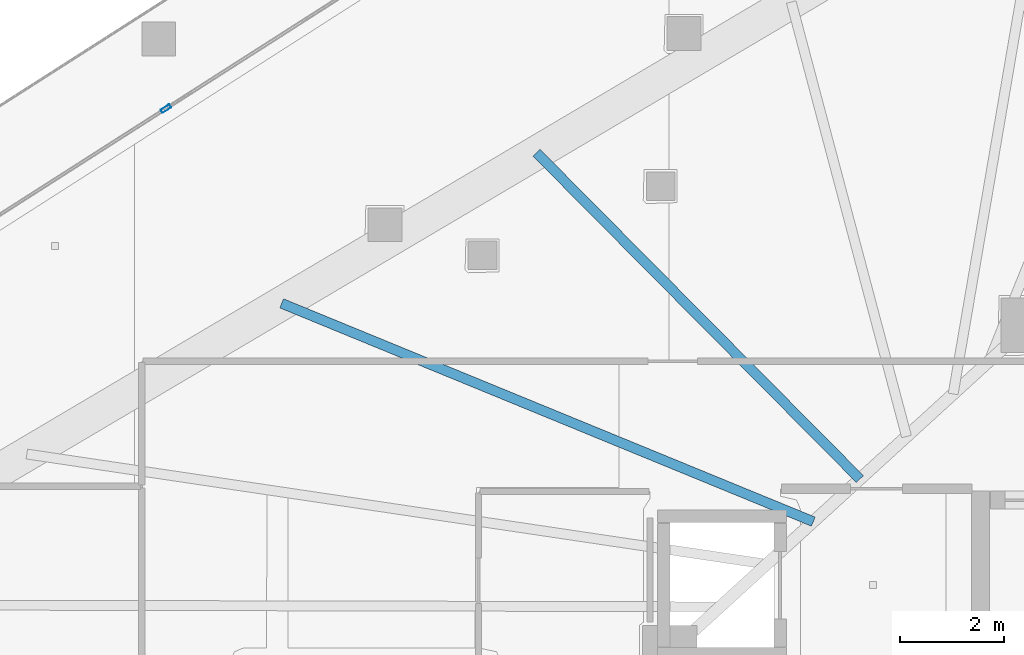
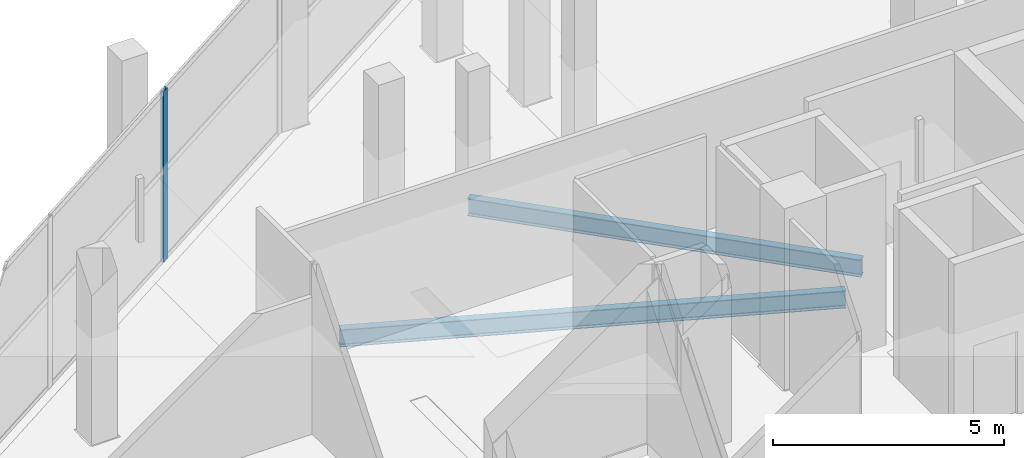
# One storey, part 14 of 42: 2 beams, 1 member, 1 element without a shape of its own.
"""IFC4 building model written with IfcOpenShell, lengths in metres."""

from ifc_helpers import new_model, si_unit, direction, frame, origin, origin_2d, place, context, subcontext, project, spatial, hollow_rectangle, i_section, extrude, material, layer, layer_set, material_profile, profile_set, type_object, element, aggregate, save


model = new_model("IFC4")

# Units and contexts
model_context = context("Model", 3, precision=1e-05, world=origin(), true_north=direction((0.0, 1.0)))
body_context = subcontext(model_context, "Body", "Model", "MODEL_VIEW")
ifc_project = project(units=[si_unit("LENGTHUNIT", "METRE"), si_unit("AREAUNIT", "SQUARE_METRE"), si_unit("VOLUMEUNIT", "CUBIC_METRE"), si_unit("PLANEANGLEUNIT", "RADIAN"), si_unit("MASSUNIT", "GRAM", prefix="KILO")], contexts=[model_context])

# Site, building, storey
site_placement = place(None, origin())
site = spatial("IfcSite", under=ifc_project, at=site_placement, CompositionType="ELEMENT")
building_placement = place(site_placement, origin())
building = spatial("IfcBuilding", under=site, at=building_placement, Name="Qorvath Tower", CompositionType="ELEMENT")
storey_placement = place(building_placement, frame((0.0, 0.0, 105.0)))
storey = spatial("IfcBuildingStorey", under=building, at=storey_placement, Name="L23", CompositionType="ELEMENT", Elevation=105.0)

# Beams
ifc_material_1 = material(Name="Steel ASTM A992 Grade 50", Category="steel")
ifc_material_profile_1 = material_profile(ifc_material_1, i_section(OverallWidth=0.18994140625, OverallDepth=0.45703125, WebThickness=0.009033203125, FlangeThickness=0.014404296875, FilletRadius=0.011962890625, at=origin_2d()), Name="W18x50")
ifc_profile_set_1 = profile_set([ifc_material_profile_1], Name="Steel ASTM A992 Grade 50")
beam_type = type_object("IfcBeamType", Name="BM-FJ2", PredefinedType="JOIST", material=ifc_profile_set_1)
beam_1_placement = place(storey_placement, frame((-27.739990234375, 7.669921875, -0.528564453125), z_axis=(-0.925068176006, 0.379801092338, 0.0), x_axis=(-0.379801092338, -0.925068176006, 0.0)))
element("IfcBeam", 1, at=beam_1_placement, inside=storey, type_object=beam_type, Name="Composite Floor Joist NW3 L23", PredefinedType="JOIST", context=body_context, shape_type="SweptSolid", body=[
    extrude(i_section(OverallWidth=0.18994140625, OverallDepth=0.45703125, WebThickness=0.009033203125, FlangeThickness=0.014404296875, FilletRadius=0.011962890625, at=origin_2d()), origin(), (0.0, 0.0, 1.0), 11.0556640625),
])
beam_2_placement = place(storey_placement, frame((-26.843017578125, 8.489013671875, -0.528564453125), z_axis=(-0.70395121362, 0.710248328997, 0.0), x_axis=(-0.710248328997, -0.70395121362, 0.0)))
element("IfcBeam", 2, at=beam_2_placement, inside=storey, type_object=beam_type, Name="Composite Floor Joist NW4 L23", PredefinedType="JOIST", context=body_context, shape_type="SweptSolid", body=[
    extrude(i_section(OverallWidth=0.18994140625, OverallDepth=0.45703125, WebThickness=0.009033203125, FlangeThickness=0.014404296875, FilletRadius=0.011962890625, at=origin_2d()), origin(), (0.0, 0.0, 1.0), 8.839599609375),
])

# Curtain wall, member
ifc_material_2 = material(Name="Anodised aluminium and triple low-E glass", Category="aluminium")
ifc_layer = layer(ifc_material_2, 0.179931640625)
ifc_layer_set = layer_set([ifc_layer], Name="CW-SYS-5")
curtain_wall_type = type_object("IfcCurtainWallType", Name="CW-SYS-5", PredefinedType="NOTDEFINED", material=ifc_layer_set)
curtain_wall_placement = place(storey_placement, origin())
curtain_wall = element("IfcCurtainWall", 3, at=curtain_wall_placement, inside=storey, type_object=curtain_wall_type, Name="Curtain Wall CW-5 CW-T-L23-16.3", PredefinedType="NOTDEFINED")
ifc_material_3 = material(Name="Anodised aluminium 6063-T6", Category="aluminium")
ifc_material_profile_2 = material_profile(ifc_material_3, hollow_rectangle(XDim=0.074951171875, YDim=0.199951171875, WallThickness=0.00390625, InnerFilletRadius=0.00390625, OuterFilletRadius=0.008056640625, at=origin_2d()), Name="CWM 200x75")
ifc_profile_set_2 = profile_set([ifc_material_profile_2], Name="Anodised aluminium 6063-T6")
member_type = type_object("IfcMemberType", Name="CWM-200", PredefinedType="MULLION", material=ifc_profile_set_2)
member_placement = place(storey_placement, frame((-40.195556640625, 15.614990234375, 0.0), z_axis=(0.0, 0.0, 1.0), x_axis=(0.538531788579, -0.842605193842, 0.0)))
member = element("IfcMember", 4, at=member_placement, type_object=member_type, Name="CW-5 mullion 2", PredefinedType="MULLION", context=body_context, shape_type="SweptSolid", body=[
    extrude(hollow_rectangle(XDim=0.074951171875, YDim=0.199951171875, WallThickness=0.00390625, InnerFilletRadius=0.00390625, OuterFilletRadius=0.008056640625, at=origin_2d()), origin(), (0.0, 0.0, 1.0), 4.52001953125),
])
aggregate(curtain_wall, [member])

save(model, "model.ifc")
